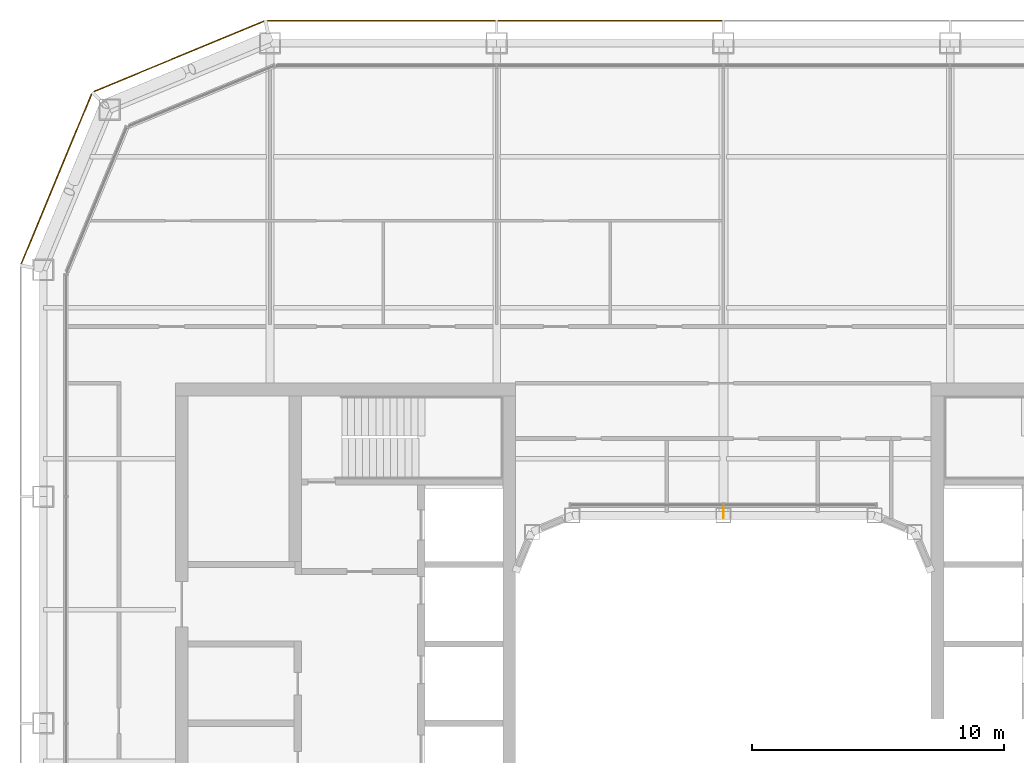
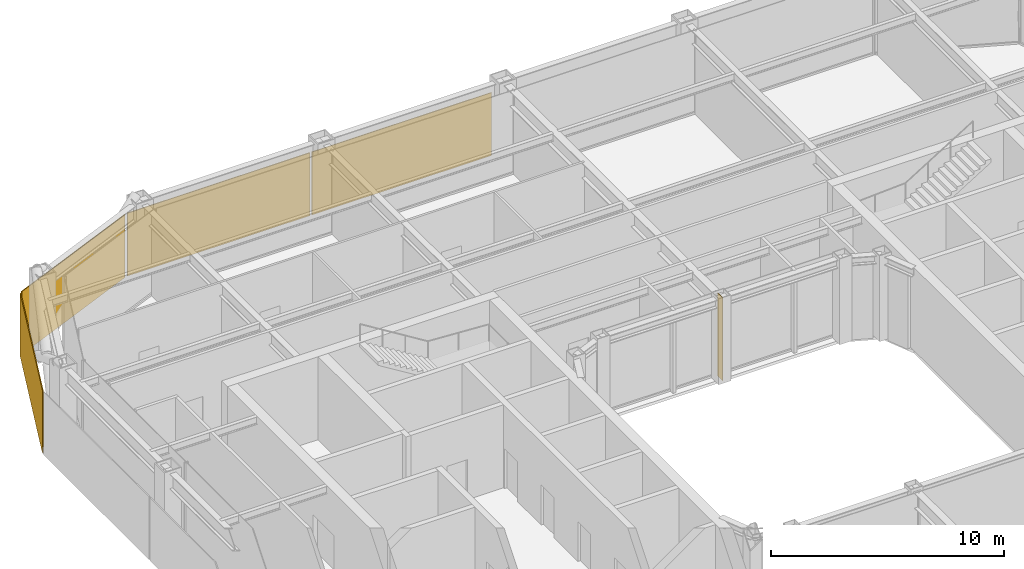
# One storey, part 20 of 22: 4 coverings, 1 shading device.
"""IFC4 building model written with IfcOpenShell, lengths in metres."""

from ifc_helpers import new_model, si_unit, direction, frame, origin, origin_2d, place, context, subcontext, project, spatial, rectangle, extrude, material, layer, layer_set, type_object, element, save


model = new_model("IFC4")

# Units and contexts
model_context = context("Model", 3, precision=1e-05, world=origin(), true_north=direction((0.0, 1.0)))
body_context = subcontext(model_context, "Body", "Model", "MODEL_VIEW")
ifc_project = project(units=[si_unit("LENGTHUNIT", "METRE"), si_unit("AREAUNIT", "SQUARE_METRE"), si_unit("VOLUMEUNIT", "CUBIC_METRE"), si_unit("PLANEANGLEUNIT", "RADIAN"), si_unit("MASSUNIT", "GRAM", prefix="KILO")], contexts=[model_context])

# Site, building, storey
site_placement = place(None, origin())
site = spatial("IfcSite", under=ifc_project, at=site_placement, CompositionType="ELEMENT")
building_placement = place(site_placement, origin())
building = spatial("IfcBuilding", under=site, at=building_placement, Name="Siwar Civic Tower", CompositionType="ELEMENT")
storey_placement = place(building_placement, frame((0.0, 0.0, 219.699951171875)))
storey = spatial("IfcBuildingStorey", under=building, at=storey_placement, Name="L47", CompositionType="ELEMENT", Elevation=219.699951171875)

# Shading device
ifc_material_1 = material(Name="Aluminium 6063-T6", Category="aluminium")
ifc_layer_1 = layer(ifc_material_1, 0.02001953125)
ifc_layer_set_1 = layer_set([ifc_layer_1], Name="Aluminium 6063-T6")
shading_device_type = type_object("IfcShadingDeviceType", Name="ENV-FIN", PredefinedType="JALOUSIE", material=ifc_layer_set_1)
shading_device_placement = place(storey_placement, frame((0.0, 8.344970703125, 0.0), z_axis=(0.0, 0.0, 1.0), x_axis=(-1.0, 0.0, 0.0)))
element("IfcShadingDevice", 1, at=shading_device_placement, inside=storey, type_object=shading_device_type, Name="SUNSHADE fin WN 1", PredefinedType="JALOUSIE", context=body_context, shape_type="SweptSolid", body=[
    extrude(rectangle(XDim=0.02001953125, YDim=0.449951171875, at=origin_2d()), origin(), (0.0, 0.0, 1.0), 4.35009765625),
])

# Coverings
ifc_material_2 = material(Name="Perforated aluminium cassette, pale metal", Category="aluminium")
ifc_layer_2 = layer(ifc_material_2, 0.0400390625)
ifc_layer_set_2 = layer_set([ifc_layer_2], Name="Perforated aluminium cassette, pale metal")
covering_type_1 = type_object("IfcCoveringType", Name="ENV-OUTER SKIN OS-1", PredefinedType="CLADDING", material=ifc_layer_set_2)
covering_1_placement = place(storey_placement, frame((-4.5, 27.89990234375, -0.14990234375), z_axis=(0.0, 0.0, 1.0), x_axis=(-1.0, 0.0, 0.0)))
element("IfcCovering", 2, at=covering_1_placement, inside=storey, type_object=covering_type_1, Name="OUTER SKIN OS-1 N 3", PredefinedType="CLADDING", context=body_context, shape_type="SweptSolid", body=[
    extrude(rectangle(XDim=8.89990234375, YDim=0.0400390625, at=origin_2d()), origin(), (0.0, 0.0, 1.0), 3.300048828125),
])
covering_2_placement = place(storey_placement, frame((-13.57958984375, 27.89990234375, -0.14990234375), z_axis=(0.0, 0.0, 1.0), x_axis=(-1.0, 0.0, 0.0)))
element("IfcCovering", 3, at=covering_2_placement, inside=storey, type_object=covering_type_1, Name="OUTER SKIN OS-1 N 4", PredefinedType="CLADDING", context=body_context, shape_type="SweptSolid", body=[
    extrude(rectangle(XDim=9.05908203125, YDim=0.0400390625, at=origin_2d()), origin(), (0.0, 0.0, 1.0), 3.300048828125),
])
covering_3_placement = place(storey_placement, frame((-21.615966796875, 26.476318359375, -0.14990234375), z_axis=(0.0, 0.0, 1.0), x_axis=(-0.923879532511, -0.382683432365, 0.0)))
element("IfcCovering", 4, at=covering_3_placement, inside=storey, type_object=covering_type_1, Name="OUTER SKIN OS-1 NW1 1", PredefinedType="CLADDING", context=body_context, shape_type="SweptSolid", body=[
    extrude(rectangle(XDim=7.300048828125, YDim=0.0400390625, at=origin_2d()), origin(), (0.0, 0.0, 1.0), 3.300048828125),
])
ifc_material_3 = material(Name="Perforated aluminium cassette, pale metal", Category="aluminium")
ifc_layer_3 = layer(ifc_material_3, 0.044921875)
ifc_layer_set_3 = layer_set([ifc_layer_3], Name="Perforated aluminium cassette, pale metal")
covering_type_2 = type_object("IfcCoveringType", Name="ENV-OUTER SKIN OS-2", PredefinedType="CLADDING", material=ifc_layer_set_3)
covering_4_placement = place(storey_placement, frame((-26.476318359375, 21.615966796875, -0.14990234375), z_axis=(0.0, 0.0, 1.0), x_axis=(-0.382683432365, -0.923879532511, 0.0)))
element("IfcCovering", 5, at=covering_4_placement, inside=storey, type_object=covering_type_2, Name="OUTER SKIN OS-2 NW2 1", PredefinedType="CLADDING", context=body_context, shape_type="SweptSolid", body=[
    extrude(rectangle(XDim=7.300048828125, YDim=0.044921875, at=origin_2d()), origin(), (0.0, 0.0, 1.0), 3.300048828125),
])

save(model, "model.ifc")
